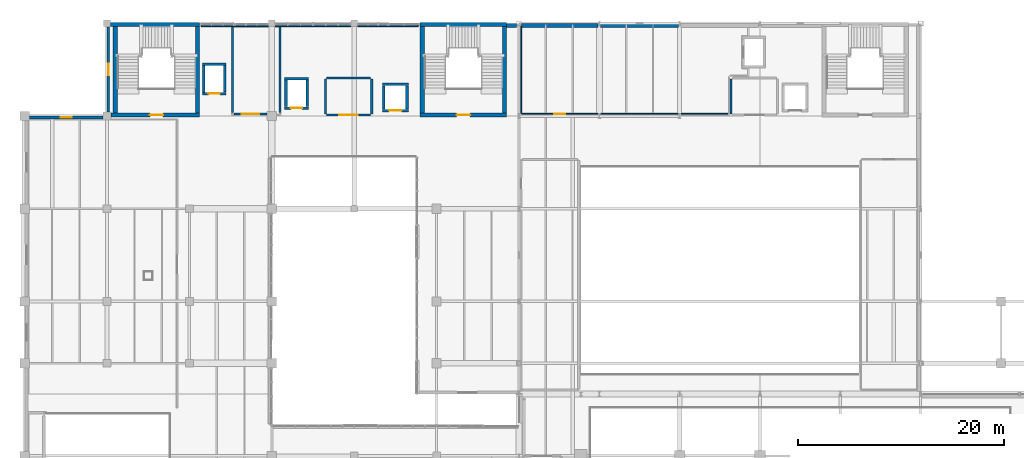
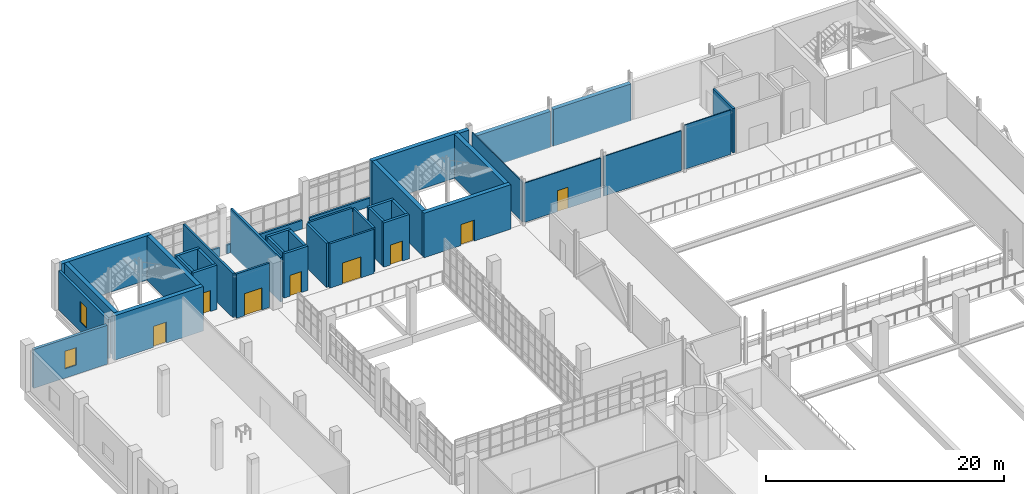
# One storey, part 94 of 102: 40 walls, 8 doors, 2 windows, 10 openings.
"""IFC4 building model written with IfcOpenShell, lengths in metres."""

from ifc_helpers import new_model, si_unit, derived_unit, direction, frame, frame_2d, origin, place, context, subcontext, project, spatial, rectangle, extrude, material, layer, layer_set, type_object, element, fill, save


model = new_model("IFC4")

# Units and contexts
model_context = context("Model", 3, precision=1e-05, world=origin(), true_north=direction((0.0, 1.0)))
body_context = subcontext(model_context, "Body", "Model", "MODEL_VIEW")
ifc_project = project(units=[si_unit("LENGTHUNIT", "METRE"), si_unit("AREAUNIT", "SQUARE_METRE"), si_unit("VOLUMEUNIT", "CUBIC_METRE"), si_unit("PLANEANGLEUNIT", "RADIAN"), si_unit("MASSUNIT", "GRAM", prefix="KILO"), derived_unit("THERMALTRANSMITTANCEUNIT", [(si_unit("POWERUNIT", "WATT"), 1), (si_unit("LENGTHUNIT", "METRE"), -2), (si_unit("THERMODYNAMICTEMPERATUREUNIT", "KELVIN"), -1)])], contexts=[model_context])

# Site, building, storey
site_placement = place(None, origin())
site = spatial("IfcSite", under=ifc_project, at=site_placement, CompositionType="ELEMENT")
building_placement = place(site_placement, origin())
building = spatial("IfcBuilding", under=site, at=building_placement, Name="Nallur Shell Playhouse", CompositionType="ELEMENT")
storey_placement = place(building_placement, frame((0.0, 0.0, 15.0)))
storey = spatial("IfcBuildingStorey", under=building, at=storey_placement, Name="L04", CompositionType="ELEMENT", Elevation=15.0)

# Wall, opening, door
ifc_material_1 = material(Name="Concrete M45", Category="concrete")
ifc_layer_1 = layer(ifc_material_1, 0.39990234375)
ifc_layer_set_1 = layer_set([ifc_layer_1], Name="Concrete M45")
wall_type_1 = type_object("IfcWallType", Name="WL-CORE-400", PredefinedType="SHEAR", material=ifc_layer_set_1)
wall_1_placement = place(storey_placement, frame((54.39990234375, 74.10009765625, 0.0), z_axis=(0.0, 0.0, 1.0), x_axis=(1.0, 0.0, 0.0)))
wall_1 = element("IfcWall", 1, at=wall_1_placement, inside=storey, type_object=wall_type_1, Name="Joint Core JC-3 shear wall S (L04)", PredefinedType="SHEAR", context=body_context, shape_type="SweptSolid", body=[
    extrude(rectangle(XDim=8.400146484375, YDim=0.39990234375, at=frame_2d((4.2001953125, 0.0))), origin(), (0.0, 0.0, 1.0), 4.550048828125),
])
opening_1_placement = place(wall_1_placement, frame((3.550048828125, 0.0, 0.0)))
opening_1 = element("IfcOpeningElement", 2, at=opening_1_placement, cuts=wall_1, Name="Opening FD-ST1", PredefinedType="OPENING", context=body_context, shape_type="SweptSolid", body=[
    extrude(rectangle(XDim=1.300048828125, YDim=2.14990234375, at=frame_2d((0.64990234375, 1.074951171875))), frame((0.0, 0.2099609375, 0.0), z_axis=(0.0, -1.0, 0.0), x_axis=(1.0, 0.0, 0.0)), (0.0, 0.0, 1.0), 0.419921875),
])
ifc_material_2 = material(Name="Galvanised Steel Fire-Rated Stair Door", Category="steel")
door_type_1 = type_object("IfcDoorType", Name="DR-INT-STAIR-L", OperationType="SINGLE_SWING_LEFT", PredefinedType="DOOR", material=ifc_material_2)
door_1_placement = place(opening_1_placement, origin())
door_1 = element("IfcDoor", 3, at=door_1_placement, inside=storey, type_object=door_type_1, Name="Exit stair ST-03 fire door (L04)", OperationType="SINGLE_SWING_LEFT", OverallHeight=2.14990234375, OverallWidth=1.300048828125, PredefinedType="DOOR", context=body_context, shape_type="SweptSolid", body=[
    extrude(rectangle(XDim=1.300048828125, YDim=2.14990234375, at=frame_2d((0.64990234375, 1.074951171875))), frame((0.0, 0.02490234375, 0.0), z_axis=(0.0, -1.0, 0.0), x_axis=(1.0, 0.0, 0.0)), (0.0, 0.0, 1.0), 0.050048828125),
])
fill(opening_1, door_1)

# Walls
wall_2_placement = place(storey_placement, frame((62.800048828125, 82.89990234375, 0.0), z_axis=(0.0, 0.0, 1.0), x_axis=(-1.0, 0.0, 0.0)))
element("IfcWall", 4, at=wall_2_placement, inside=storey, type_object=wall_type_1, Name="Joint Core JC-3 shear wall N (L04)", PredefinedType="SHEAR", context=body_context, shape_type="SweptSolid", body=[
    extrude(rectangle(XDim=8.400146484375, YDim=0.39990234375, at=frame_2d((4.2001953125, 0.0))), origin(), (0.0, 0.0, 1.0), 4.550048828125),
])
for number, where, z_axis, x_axis, name in (
    (5, (62.60009765625, 74.31005859375, 0.0), (0.0, 0.0, 1.0), (0.0, 1.0, 0.0), "Joint Core JC-3 shear wall E (L04)"),
    (6, (54.60009765625, 82.68994140625, 0.0), (0.0, 0.0, 1.0), (0.0, -1.0, 0.0), "Joint Core JC-3 shear wall W (L04)"),
):
    element("IfcWall", number, at=place(storey_placement, frame(where, z_axis=z_axis, x_axis=x_axis)), inside=storey, type_object=wall_type_1, Name=name, PredefinedType="SHEAR", context=body_context, shape_type="SweptSolid", body=[
        extrude(rectangle(XDim=8.3798828125, YDim=0.39990234375, at=frame_2d((4.18994140625, 0.0))), origin(), (0.0, 0.0, 1.0), 4.550048828125),
    ])

# Wall, opening, door
wall_3_placement = place(storey_placement, frame((24.3740234375, 74.10009765625, 0.0), z_axis=(0.0, 0.0, 1.0), x_axis=(1.0, 0.0, 0.0)))
wall_3 = element("IfcWall", 7, at=wall_3_placement, inside=storey, type_object=wall_type_1, Name="Joint Core JC-6 shear wall S (L04)", PredefinedType="SHEAR", context=body_context, shape_type="SweptSolid", body=[
    extrude(rectangle(XDim=8.6259765625, YDim=0.39990234375, at=frame_2d((4.31298828125, 0.0))), origin(), (0.0, 0.0, 1.0), 4.550048828125),
])
opening_2_placement = place(wall_3_placement, frame((3.77587890625, 0.0, 0.0)))
opening_2 = element("IfcOpeningElement", 8, at=opening_2_placement, cuts=wall_3, Name="Opening FD-ST2", PredefinedType="OPENING", context=body_context, shape_type="SweptSolid", body=[
    extrude(rectangle(XDim=1.300048828125, YDim=2.14990234375, at=frame_2d((0.64990234375, 1.074951171875))), frame((0.0, 0.2099609375, 0.0), z_axis=(0.0, -1.0, 0.0), x_axis=(1.0, 0.0, 0.0)), (0.0, 0.0, 1.0), 0.419921875),
])
door_type_2 = type_object("IfcDoorType", Name="DR-INT-STAIR-R", OperationType="SINGLE_SWING_RIGHT", PredefinedType="DOOR", material=ifc_material_2)
door_2_placement = place(opening_2_placement, origin())
door_2 = element("IfcDoor", 9, at=door_2_placement, inside=storey, type_object=door_type_2, Name="Exit stair ST-06 fire door (L04)", OperationType="SINGLE_SWING_RIGHT", OverallHeight=2.14990234375, OverallWidth=1.300048828125, PredefinedType="DOOR", context=body_context, shape_type="SweptSolid", body=[
    extrude(rectangle(XDim=1.300048828125, YDim=2.14990234375, at=frame_2d((0.64990234375, 1.074951171875))), frame((0.0, 0.02490234375, 0.0), z_axis=(0.0, -1.0, 0.0), x_axis=(1.0, 0.0, 0.0)), (0.0, 0.0, 1.0), 0.050048828125),
])
fill(opening_2, door_2)

# Walls
wall_4_placement = place(storey_placement, frame((33.0, 82.89990234375, 0.0), z_axis=(0.0, 0.0, 1.0), x_axis=(-1.0, 0.0, 0.0)))
element("IfcWall", 10, at=wall_4_placement, inside=storey, type_object=wall_type_1, Name="Joint Core JC-6 shear wall N (L04)", PredefinedType="SHEAR", context=body_context, shape_type="SweptSolid", body=[
    extrude(rectangle(XDim=8.676025390625, YDim=0.39990234375, at=frame_2d((4.337890625, 0.0))), origin(), (0.0, 0.0, 1.0), 4.550048828125),
])
for number, where, z_axis, x_axis, name in (
    (11, (32.800048828125, 74.31005859375, 0.0), (0.0, 0.0, 1.0), (0.0, 1.0, 0.0), "Joint Core JC-6 shear wall E (L04)"),
    (12, (24.800048828125, 82.68994140625, 0.0), (0.0, 0.0, 1.0), (0.0, -1.0, 0.0), "Joint Core JC-6 shear wall W (L04)"),
):
    element("IfcWall", number, at=place(storey_placement, frame(where, z_axis=z_axis, x_axis=x_axis)), inside=storey, type_object=wall_type_1, Name=name, PredefinedType="SHEAR", context=body_context, shape_type="SweptSolid", body=[
        extrude(rectangle(XDim=8.3798828125, YDim=0.39990234375, at=frame_2d((4.18994140625, 0.0))), origin(), (0.0, 0.0, 1.0), 4.550048828125),
    ])

# Wall, opening, window
ifc_material_3 = material(Name="Precast concrete M40", Category="concrete")
ifc_layer_2 = layer(ifc_material_3, 0.239990234375)
ifc_layer_set_2 = layer_set([ifc_layer_2], Name="Precast concrete M40")
wall_type_2 = type_object("IfcWallType", Name="WL-EXT-CLAD240", PredefinedType="ELEMENTEDWALL", material=ifc_layer_set_2)
wall_5_placement = place(storey_placement, frame((24.139892578125, 74.383056640625, 0.0), z_axis=(0.0, 0.0, 1.0), x_axis=(0.0, 1.0, 0.0)))
wall_5 = element("IfcWall", 13, at=wall_5_placement, inside=storey, type_object=wall_type_2, Name="L04 exterior wall EW-L04-170", PredefinedType="ELEMENTEDWALL", context=body_context, shape_type="SweptSolid", body=[
    extrude(rectangle(XDim=8.283935546875, YDim=0.239990234375, at=frame_2d((4.14208984375, 0.0))), origin(), (0.0, 0.0, 1.0), 3.985107421875),
])
opening_3_placement = place(wall_5_placement, frame((3.592041015625, 0.0, 0.949951171875)))
opening_3 = element("IfcOpeningElement", 14, at=opening_3_placement, cuts=wall_5, Name="Opening WN-08", PredefinedType="OPENING", context=body_context, shape_type="SweptSolid", body=[
    extrude(rectangle(XDim=1.10009765625, YDim=2.10009765625, at=frame_2d((0.550048828125, 1.050048828125))), frame((0.0, 0.1298828125, 0.0), z_axis=(0.0, -1.0, 0.0), x_axis=(1.0, 0.0, 0.0)), (0.0, 0.0, 1.0), 0.260009765625),
])
ifc_material_4 = material(Name="Thermally Broken Aluminium Acoustic Double-Glazed Window", Category="aluminium")
window_type_1 = type_object("IfcWindowType", Name="WN-TYPE-08", PartitioningType="SINGLE_PANEL", PredefinedType="WINDOW", material=ifc_material_4)
window_1_placement = place(opening_3_placement, origin())
window_1 = element("IfcWindow", 15, at=window_1_placement, inside=storey, type_object=window_type_1, Name="L04 facade module window 072", OverallHeight=2.10009765625, OverallWidth=1.10009765625, PartitioningType="SINGLE_PANEL", PredefinedType="WINDOW", context=body_context, shape_type="SweptSolid", body=[
    extrude(rectangle(XDim=1.10009765625, YDim=2.10009765625, at=frame_2d((0.550048828125, 1.050048828125))), frame((0.0, 0.030029296875, 0.0), z_axis=(0.0, -1.0, 0.0), x_axis=(1.0, 0.0, 0.0)), (0.0, 0.0, 1.0), 0.06005859375),
])
fill(opening_3, window_1)

ifc_layer_3 = layer(ifc_material_3, 0.260009765625)
ifc_layer_set_3 = layer_set([ifc_layer_3], Name="Precast concrete M40")
wall_type_3 = type_object("IfcWallType", Name="WL-EXT-CLAD260", PredefinedType="ELEMENTEDWALL", material=ifc_layer_set_3)
wall_6_placement = place(storey_placement, frame((16.4580078125, 73.85009765625, 0.0), z_axis=(0.0, 0.0, 1.0), x_axis=(1.0, 0.0, 0.0)))
wall_6 = element("IfcWall", 16, at=wall_6_placement, inside=storey, type_object=wall_type_3, Name="L04 exterior wall EW-L04-169", PredefinedType="ELEMENTEDWALL", context=body_context, shape_type="SweptSolid", body=[
    extrude(rectangle(XDim=7.158935546875, YDim=0.260009765625, at=frame_2d((3.57958984375, 0.0))), origin(), (0.0, 0.0, 1.0), 3.985107421875),
])
opening_4_placement = place(wall_6_placement, frame((3.030029296875, 0.0, 0.949951171875)))
opening_4 = element("IfcOpeningElement", 17, at=opening_4_placement, cuts=wall_6, Name="Opening WN-07", PredefinedType="OPENING", context=body_context, shape_type="SweptSolid", body=[
    extrude(rectangle(XDim=1.10009765625, YDim=1.800048828125, at=frame_2d((0.550048828125, 0.89990234375))), frame((0.0, 0.14013671875, 0.0), z_axis=(0.0, -1.0, 0.0), x_axis=(1.0, 0.0, 0.0)), (0.0, 0.0, 1.0), 0.280029296875),
])
window_type_2 = type_object("IfcWindowType", Name="WN-TYPE-07", PartitioningType="SINGLE_PANEL", PredefinedType="WINDOW", material=ifc_material_4)
window_2_placement = place(opening_4_placement, origin())
window_2 = element("IfcWindow", 18, at=window_2_placement, inside=storey, type_object=window_type_2, Name="L04 facade module window 071", OverallHeight=1.800048828125, OverallWidth=1.10009765625, PartitioningType="SINGLE_PANEL", PredefinedType="WINDOW", context=body_context, shape_type="SweptSolid", body=[
    extrude(rectangle(XDim=1.10009765625, YDim=1.800048828125, at=frame_2d((0.550048828125, 0.89990234375))), frame((0.0, 0.030029296875, 0.0), z_axis=(0.0, -1.0, 0.0), x_axis=(1.0, 0.0, 0.0)), (0.0, 0.0, 1.0), 0.06005859375),
])
fill(opening_4, window_2)

# Walls
ifc_material_5 = material(Name="Concrete M40", Category="concrete")
ifc_layer_4 = layer(ifc_material_5, 0.39990234375)
ifc_layer_set_4 = layer_set([ifc_layer_4], Name="Concrete M40")
wall_type_4 = type_object("IfcWallType", Name="WL-EXT-RC400", PredefinedType="STANDARD", material=ifc_layer_set_4)
wall_7_placement = place(storey_placement, frame((62.803955078125, 82.780029296875, 0.0), z_axis=(0.0, 0.0, 1.0), x_axis=(1.0, 0.0, 0.0)))
element("IfcWall", 19, at=wall_7_placement, inside=storey, type_object=wall_type_4, Name="L04 exterior wall EW-L04-171", PredefinedType="STANDARD", context=body_context, shape_type="SweptSolid", body=[
    extrude(rectangle(XDim=0.963134765625, YDim=0.39990234375, at=frame_2d((0.4814453125, 0.0))), origin(), (0.0, 0.0, 1.0), 4.550048828125),
])
wall_8_placement = place(storey_placement, frame((64.23291015625, 82.780029296875, 0.0), z_axis=(0.0, 0.0, 1.0), x_axis=(1.0, 0.0, 0.0)))
element("IfcWall", 20, at=wall_8_placement, inside=storey, type_object=wall_type_4, Name="L04 exterior wall EW-L04-172", PredefinedType="STANDARD", context=body_context, shape_type="SweptSolid", body=[
    extrude(rectangle(XDim=7.43408203125, YDim=0.39990234375, at=frame_2d((3.717041015625, 0.0))), origin(), (0.0, 0.0, 1.0), 3.68505859375),
])
wall_9_placement = place(storey_placement, frame((71.93310546875, 82.780029296875, 0.0), z_axis=(0.0, 0.0, 1.0), x_axis=(1.0, 0.0, 0.0)))
element("IfcWall", 21, at=wall_9_placement, inside=storey, type_object=wall_type_4, Name="L04 exterior wall EW-L04-173", PredefinedType="STANDARD", context=body_context, shape_type="SweptSolid", body=[
    extrude(rectangle(XDim=7.533935546875, YDim=0.39990234375, at=frame_2d((3.76708984375, 0.0))), origin(), (0.0, 0.0, 1.0), 3.784912109375),
])
ifc_material_6 = material(Name="Concrete M35", Category="concrete")
ifc_layer_5 = layer(ifc_material_6, 0.179931640625)
ifc_layer_set_5 = layer_set([ifc_layer_5], Name="Concrete M35")
wall_type_5 = type_object("IfcWallType", Name="WL-PARAPET-180", PredefinedType="PARAPET", material=ifc_layer_set_5)
wall_10_placement = place(storey_placement, frame((33.169921875, 82.760009765625, 0.0), z_axis=(0.0, 0.0, 1.0), x_axis=(1.0, 0.0, 0.0)))
element("IfcWall", 22, at=wall_10_placement, inside=storey, type_object=wall_type_5, Name="L04 curtain-wall internal spandrel upstand 044", PredefinedType="PARAPET", context=body_context, shape_type="SweptSolid", body=[
    extrude(rectangle(XDim=6.4951171875, YDim=0.179931640625, at=frame_2d((3.24755859375, 0.0))), origin(), (0.0, 0.0, 1.0), 0.8798828125),
])
wall_11_placement = place(storey_placement, frame((40.3349609375, 82.760009765625, 0.0), z_axis=(0.0, 0.0, 1.0), x_axis=(1.0, 0.0, 0.0)))
element("IfcWall", 23, at=wall_11_placement, inside=storey, type_object=wall_type_5, Name="L04 curtain-wall internal spandrel upstand 045", PredefinedType="PARAPET", context=body_context, shape_type="SweptSolid", body=[
    extrude(rectangle(XDim=7.330078125, YDim=0.179931640625, at=frame_2d((3.6650390625, 0.0))), origin(), (0.0, 0.0, 1.0), 0.8798828125),
])
wall_12_placement = place(storey_placement, frame((48.3349609375, 82.760009765625, 0.0), z_axis=(0.0, 0.0, 1.0), x_axis=(1.0, 0.0, 0.0)))
element("IfcWall", 24, at=wall_12_placement, inside=storey, type_object=wall_type_5, Name="L04 curtain-wall internal spandrel upstand 046", PredefinedType="PARAPET", context=body_context, shape_type="SweptSolid", body=[
    extrude(rectangle(XDim=5.89501953125, YDim=0.179931640625, at=frame_2d((2.947509765625, 0.0))), origin(), (0.0, 0.0, 1.0), 0.8798828125),
])
ifc_material_7 = material(Name="Concrete M30", Category="concrete")
ifc_layer_6 = layer(ifc_material_7, 0.199951171875)
ifc_layer_set_6 = layer_set([ifc_layer_6], Name="Concrete M30")
wall_type_6 = type_object("IfcWallType", Name="WL-PART-AC200", PredefinedType="PARTITIONING", material=ifc_layer_set_6)
wall_13_placement = place(storey_placement, frame((45.199951171875, 74.219970703125, 0.0), z_axis=(0.0, 0.0, 1.0), x_axis=(0.0, 1.0, 0.0)))
element("IfcWall", 25, at=wall_13_placement, inside=storey, type_object=wall_type_6, Name="Firefighting Lobby JC-3 partition IW-L04-0271", PredefinedType="PARTITIONING", context=body_context, shape_type="SweptSolid", body=[
    extrude(rectangle(XDim=3.360107421875, YDim=0.199951171875, at=frame_2d((1.68017578125, 0.0))), origin(), (0.0, 0.0, 1.0), 4.5400390625),
])
wall_14_placement = place(storey_placement, frame((45.320068359375, 77.699951171875, 0.0), z_axis=(0.0, 0.0, 1.0), x_axis=(1.0, 0.0, 0.0)))
element("IfcWall", 26, at=wall_14_placement, inside=storey, type_object=wall_type_6, Name="Firefighting Lobby JC-3 partition IW-L04-0272", PredefinedType="PARTITIONING", context=body_context, shape_type="SweptSolid", body=[
    extrude(rectangle(XDim=4.260009765625, YDim=0.199951171875, at=frame_2d((2.1298828125, 0.0))), origin(), (0.0, 0.0, 1.0), 4.5400390625),
])
wall_15_placement = place(storey_placement, frame((49.699951171875, 77.580078125, 0.0), z_axis=(0.0, 0.0, 1.0), x_axis=(0.0, -1.0, 0.0)))
element("IfcWall", 27, at=wall_15_placement, inside=storey, type_object=wall_type_6, Name="Firefighting Lobby JC-3 partition IW-L04-0273", PredefinedType="PARTITIONING", context=body_context, shape_type="SweptSolid", body=[
    extrude(rectangle(XDim=3.360107421875, YDim=0.199951171875, at=frame_2d((1.68017578125, 0.0))), origin(), (0.0, 0.0, 1.0), 4.5400390625),
])

# Wall, opening, door
wall_16_placement = place(storey_placement, frame((49.580078125, 74.10009765625, 0.0), z_axis=(0.0, 0.0, 1.0), x_axis=(-1.0, 0.0, 0.0)))
wall_16 = element("IfcWall", 28, at=wall_16_placement, inside=storey, type_object=wall_type_6, Name="Firefighting Lobby JC-3 partition IW-L04-0274", PredefinedType="PARTITIONING", context=body_context, shape_type="SweptSolid", body=[
    extrude(rectangle(XDim=4.260009765625, YDim=0.199951171875, at=frame_2d((2.1298828125, 0.0))), origin(), (0.0, 0.0, 1.0), 4.5400390625),
])
opening_5_placement = place(wall_16_placement, frame((1.22998046875, 0.0, 0.0)))
opening_5 = element("IfcOpeningElement", 29, at=opening_5_placement, cuts=wall_16, Name="Opening FD-FL1", PredefinedType="OPENING", context=body_context, shape_type="SweptSolid", body=[
    extrude(rectangle(XDim=1.800048828125, YDim=2.14990234375, at=frame_2d((0.89990234375, 1.074951171875))), frame((0.0, 0.10986328125, 0.0), z_axis=(0.0, -1.0, 0.0), x_axis=(1.0, 0.0, 0.0)), (0.0, 0.0, 1.0), 0.219970703125),
])
ifc_material_8 = material(Name="Firefighting Lobby Smoke-Seal Double Door")
door_type_3 = type_object("IfcDoorType", Name="DR-INT-FFL-DBL", OperationType="DOUBLE_DOOR_SINGLE_SWING", PredefinedType="DOOR", material=ifc_material_8)
door_3_placement = place(opening_5_placement, origin())
door_3 = element("IfcDoor", 30, at=door_3_placement, inside=storey, type_object=door_type_3, Name="Firefighting Lobby JC-3 smoke-seal door (L04)", OperationType="DOUBLE_DOOR_SINGLE_SWING", OverallHeight=2.14990234375, OverallWidth=1.800048828125, PredefinedType="DOOR", context=body_context, shape_type="SweptSolid", body=[
    extrude(rectangle(XDim=1.800048828125, YDim=2.14990234375, at=frame_2d((0.89990234375, 1.074951171875))), frame((0.0, 0.02490234375, 0.0), z_axis=(0.0, -1.0, 0.0), x_axis=(1.0, 0.0, 0.0)), (0.0, 0.0, 1.0), 0.050048828125),
])
fill(opening_5, door_3)

# Walls
wall_17_placement = place(storey_placement, frame((84.60009765625, 74.219970703125, 0.0), z_axis=(0.0, 0.0, 1.0), x_axis=(0.0, 1.0, 0.0)))
element("IfcWall", 31, at=wall_17_placement, inside=storey, type_object=wall_type_6, Name="Firefighting Lobby JC-4 partition IW-L04-0275", PredefinedType="PARTITIONING", context=body_context, shape_type="SweptSolid", body=[
    extrude(rectangle(XDim=3.360107421875, YDim=0.199951171875, at=frame_2d((1.68017578125, 0.0))), origin(), (0.0, 0.0, 1.0), 4.5400390625),
])
wall_18_placement = place(storey_placement, frame((40.800048828125, 82.666015625, 0.0), z_axis=(0.0, 0.0, 1.0), x_axis=(0.0, -1.0, 0.0)))
element("IfcWall", 32, at=wall_18_placement, inside=storey, type_object=wall_type_6, Name="Sprung-Floor Dance & Movement Studio partition IW-L04-0314", PredefinedType="PARTITIONING", context=body_context, shape_type="SweptSolid", body=[
    extrude(rectangle(XDim=8.345947265625, YDim=0.199951171875, at=frame_2d((4.1728515625, 0.0))), origin(), (0.0, 0.0, 1.0), 4.5400390625),
])

# Wall, opening, door
wall_19_placement = place(storey_placement, frame((39.534912109375, 74.199951171875, 0.0), z_axis=(0.0, 0.0, 1.0), x_axis=(-1.0, 0.0, 0.0)))
wall_19 = element("IfcWall", 33, at=wall_19_placement, inside=storey, type_object=wall_type_6, Name="Sprung-Floor Dance & Movement Studio partition IW-L04-0315", PredefinedType="PARTITIONING", context=body_context, shape_type="SweptSolid", body=[
    extrude(rectangle(XDim=3.21484375, YDim=0.199951171875, at=frame_2d((1.607421875, 0.0))), origin(), (0.0, 0.0, 1.0), 4.5400390625),
])
opening_6_placement = place(wall_19_placement, frame((0.757080078125, 0.0, 0.0)))
opening_6 = element("IfcOpeningElement", 34, at=opening_6_placement, cuts=wall_19, Name="Opening RD-01", PredefinedType="OPENING", context=body_context, shape_type="SweptSolid", body=[
    extrude(rectangle(XDim=1.699951171875, YDim=2.25, at=frame_2d((0.85009765625, 1.125))), frame((0.0, 0.10986328125, 0.0), z_axis=(0.0, -1.0, 0.0), x_axis=(1.0, 0.0, 0.0)), (0.0, 0.0, 1.0), 0.219970703125),
])
ifc_material_9 = material(Name="Rehearsal Hall Acoustic Double Door")
door_type_4 = type_object("IfcDoorType", Name="DR-INT-RHL-DBL", OperationType="DOUBLE_DOOR_SINGLE_SWING", PredefinedType="DOOR", material=ifc_material_9)
door_4_placement = place(opening_6_placement, origin())
door_4 = element("IfcDoor", 35, at=door_4_placement, inside=storey, type_object=door_type_4, Name="Sprung-Floor Dance & Movement Studio door 1", OperationType="DOUBLE_DOOR_SINGLE_SWING", OverallHeight=2.25, OverallWidth=1.699951171875, PredefinedType="DOOR", context=body_context, shape_type="SweptSolid", body=[
    extrude(rectangle(XDim=1.699951171875, YDim=2.25, at=frame_2d((0.85009765625, 1.125))), frame((0.0, 0.02490234375, 0.0), z_axis=(0.0, -1.0, 0.0), x_axis=(1.0, 0.0, 0.0)), (0.0, 0.0, 1.0), 0.050048828125),
])
fill(opening_6, door_4)

# Walls
wall_20_placement = place(storey_placement, frame((36.199951171875, 74.320068359375, 0.0), z_axis=(0.0, 0.0, 1.0), x_axis=(0.0, 1.0, 0.0)))
element("IfcWall", 36, at=wall_20_placement, inside=storey, type_object=wall_type_6, Name="Sprung-Floor Dance & Movement Studio partition IW-L04-0316", PredefinedType="PARTITIONING", context=body_context, shape_type="SweptSolid", body=[
    extrude(rectangle(XDim=8.345947265625, YDim=0.199951171875, at=frame_2d((4.1728515625, 0.0))), origin(), (0.0, 0.0, 1.0), 4.5400390625),
])
ifc_material_10 = material(Name="Double-Layer Fire-Rated Gypsum Stud Partition")
ifc_layer_7 = layer(ifc_material_10, 0.10009765625)
ifc_layer_set_7 = layer_set([ifc_layer_7], Name="Double-Layer Fire-Rated Gypsum Stud Partition")
wall_type_7 = type_object("IfcWallType", Name="WL-PART-DRY100", PredefinedType="PARTITIONING", material=ifc_layer_set_7)
wall_21_placement = place(storey_placement, frame((64.199951171875, 74.27001953125, 0.0), z_axis=(0.0, 0.0, 1.0), x_axis=(0.0, 1.0, 0.0)))
element("IfcWall", 37, at=wall_21_placement, inside=storey, type_object=wall_type_7, Name="Orchestral Sheet-Music & Script Library partition IW-L04-0327", PredefinedType="PARTITIONING", context=body_context, shape_type="SweptSolid", body=[
    extrude(rectangle(XDim=8.5009765625, YDim=0.10009765625, at=frame_2d((4.25048828125, 0.0))), origin(), (0.0, 0.0, 1.0), 4.080078125),
])
wall_22_placement = place(storey_placement, frame((84.25, 74.199951171875, 0.0), z_axis=(0.0, 0.0, 1.0), x_axis=(-1.0, 0.0, 0.0)))
element("IfcWall", 38, at=wall_22_placement, inside=storey, type_object=wall_type_7, Name="Orchestral Sheet-Music & Script Library partition IW-L04-0328", PredefinedType="PARTITIONING", context=body_context, shape_type="SweptSolid", body=[
    extrude(rectangle(XDim=4.510009765625, YDim=0.10009765625, at=frame_2d((2.2548828125, 0.0))), origin(), (0.0, 0.0, 1.0), 4.5400390625),
])
wall_23_placement = place(storey_placement, frame((79.4599609375, 74.199951171875, 0.0), z_axis=(0.0, 0.0, 1.0), x_axis=(-1.0, 0.0, 0.0)))
element("IfcWall", 39, at=wall_23_placement, inside=storey, type_object=wall_type_7, Name="Orchestral Sheet-Music & Script Library partition IW-L04-0329", PredefinedType="PARTITIONING", context=body_context, shape_type="SweptSolid", body=[
    extrude(rectangle(XDim=7.52001953125, YDim=0.10009765625, at=frame_2d((3.760009765625, 0.0))), origin(), (0.0, 0.0, 1.0), 4.080078125),
])

# Wall, opening, door
wall_24_placement = place(storey_placement, frame((71.659912109375, 74.199951171875, 0.0), z_axis=(0.0, 0.0, 1.0), x_axis=(-1.0, 0.0, 0.0)))
wall_24 = element("IfcWall", 40, at=wall_24_placement, inside=storey, type_object=wall_type_7, Name="Orchestral Sheet-Music & Script Library partition IW-L04-0330", PredefinedType="PARTITIONING", context=body_context, shape_type="SweptSolid", body=[
    extrude(rectangle(XDim=7.389892578125, YDim=0.10009765625, at=frame_2d((3.69482421875, 0.0))), origin(), (0.0, 0.0, 1.0), 4.030029296875),
])
opening_7_placement = place(wall_24_placement, frame((3.169921875, 0.0, 0.0)))
opening_7 = element("IfcOpeningElement", 41, at=opening_7_placement, cuts=wall_24, Name="Opening ID-02", PredefinedType="OPENING", context=body_context, shape_type="SweptSolid", body=[
    extrude(rectangle(XDim=1.050048828125, YDim=2.14990234375, at=frame_2d((0.52490234375, 1.074951171875))), frame((0.0, 0.06005859375, 0.0), z_axis=(0.0, -1.0, 0.0), x_axis=(1.0, 0.0, 0.0)), (0.0, 0.0, 1.0), 0.1201171875),
])
ifc_material_11 = material(Name="Solid-Core Engineered Timber Fire Door", Category="wood")
door_type_5 = type_object("IfcDoorType", Name="DR-INT-SGL1050R", OperationType="SINGLE_SWING_RIGHT", PredefinedType="DOOR", material=ifc_material_11)
door_5_placement = place(opening_7_placement, origin())
door_5 = element("IfcDoor", 42, at=door_5_placement, inside=storey, type_object=door_type_5, Name="Orchestral Sheet-Music & Script Library door 1", OperationType="SINGLE_SWING_RIGHT", OverallHeight=2.14990234375, OverallWidth=1.050048828125, PredefinedType="DOOR", context=body_context, shape_type="SweptSolid", body=[
    extrude(rectangle(XDim=1.050048828125, YDim=2.14990234375, at=frame_2d((0.52490234375, 1.074951171875))), frame((0.0, 0.02490234375, 0.0), z_axis=(0.0, -1.0, 0.0), x_axis=(1.0, 0.0, 0.0)), (0.0, 0.0, 1.0), 0.050048828125),
])
fill(opening_7, door_5)

ifc_layer_8 = layer(ifc_material_1, 0.25)
ifc_layer_set_8 = layer_set([ifc_layer_8], Name="Concrete M45")
wall_type_8 = type_object("IfcWallType", Name="WL-SHAFT-250", PredefinedType="STANDARD", material=ifc_layer_set_8)
wall_25_placement = place(storey_placement, frame((50.75, 74.52490234375, 0.0), z_axis=(0.0, 0.0, 1.0), x_axis=(1.0, 0.0, 0.0)))
wall_25 = element("IfcWall", 43, at=wall_25_placement, inside=storey, type_object=wall_type_8, Name="Fireman's Lift FL-1 shaft wall south (L04)", PredefinedType="STANDARD", context=body_context, shape_type="SweptSolid", body=[
    extrude(rectangle(XDim=2.5, YDim=0.25, at=frame_2d((1.25, 0.0))), origin(), (0.0, 0.0, 1.0), 4.5400390625),
])
opening_8_placement = place(wall_25_placement, frame((0.64990234375, 0.0, 0.0)))
opening_8 = element("IfcOpeningElement", 44, at=opening_8_placement, cuts=wall_25, Name="Opening LD-F1", PredefinedType="OPENING", context=body_context, shape_type="SweptSolid", body=[
    extrude(rectangle(XDim=1.199951171875, YDim=2.050048828125, at=frame_2d((0.60009765625, 1.02490234375))), frame((0.0, 0.135009765625, 0.0), z_axis=(0.0, -1.0, 0.0), x_axis=(1.0, 0.0, 0.0)), (0.0, 0.0, 1.0), 0.27001953125),
])
ifc_material_12 = material(Name="Fireman Lift Fire-Rated Sliding Landing Door")
door_type_6 = type_object("IfcDoorType", Name="DR-LIFT-FIRE", OperationType="DOUBLE_DOOR_SLIDING", PredefinedType="DOOR", material=ifc_material_12)
door_6_placement = place(opening_8_placement, origin())
door_6 = element("IfcDoor", 45, at=door_6_placement, inside=storey, type_object=door_type_6, Name="Fireman's Lift FL-1 sliding landing door (L04)", OperationType="DOUBLE_DOOR_SLIDING", OverallHeight=2.050048828125, OverallWidth=1.199951171875, PredefinedType="DOOR", context=body_context, shape_type="SweptSolid", body=[
    extrude(rectangle(XDim=1.199951171875, YDim=2.050048828125, at=frame_2d((0.60009765625, 1.02490234375))), frame((0.0, 0.02490234375, 0.0), z_axis=(0.0, -1.0, 0.0), x_axis=(1.0, 0.0, 0.0)), (0.0, 0.0, 1.0), 0.050048828125),
])
fill(opening_8, door_6)

# Walls
wall_26_placement = place(storey_placement, frame((53.25, 77.074951171875, 0.0), z_axis=(0.0, 0.0, 1.0), x_axis=(-1.0, 0.0, 0.0)))
element("IfcWall", 46, at=wall_26_placement, inside=storey, type_object=wall_type_8, Name="Fireman's Lift FL-1 shaft wall north (L04)", PredefinedType="STANDARD", context=body_context, shape_type="SweptSolid", body=[
    extrude(rectangle(XDim=2.5, YDim=0.25, at=frame_2d((1.25, 0.0))), origin(), (0.0, 0.0, 1.0), 4.5400390625),
])
for number, where, z_axis, x_axis, name in (
    (47, (53.125, 74.659912109375, 0.0), (0.0, 0.0, 1.0), (0.0, 1.0, 0.0), "Fireman's Lift FL-1 shaft wall east (L04)"),
    (48, (50.875, 76.93994140625, 0.0), (0.0, 0.0, 1.0), (0.0, -1.0, 0.0), "Fireman's Lift FL-1 shaft wall west (L04)"),
):
    element("IfcWall", number, at=place(storey_placement, frame(where, z_axis=z_axis, x_axis=x_axis)), inside=storey, type_object=wall_type_8, Name=name, PredefinedType="STANDARD", context=body_context, shape_type="SweptSolid", body=[
        extrude(rectangle(XDim=2.280029296875, YDim=0.25, at=frame_2d((1.14013671875, 0.0))), origin(), (0.0, 0.0, 1.0), 4.5400390625),
    ])

# Wall, opening, door
wall_27_placement = place(storey_placement, frame((41.25, 74.77490234375, 0.0), z_axis=(0.0, 0.0, 1.0), x_axis=(1.0, 0.0, 0.0)))
wall_27 = element("IfcWall", 49, at=wall_27_placement, inside=storey, type_object=wall_type_8, Name="Passenger Lift PL-3 shaft wall south (L04)", PredefinedType="STANDARD", context=body_context, shape_type="SweptSolid", body=[
    extrude(rectangle(XDim=2.300048828125, YDim=0.25, at=frame_2d((1.14990234375, 0.0))), origin(), (0.0, 0.0, 1.0), 4.5400390625),
])
opening_9_placement = place(wall_27_placement, frame((0.60009765625, 0.0, 0.0)))
opening_9 = element("IfcOpeningElement", 50, at=opening_9_placement, cuts=wall_27, Name="Opening LD-P1", PredefinedType="OPENING", context=body_context, shape_type="SweptSolid", body=[
    extrude(rectangle(XDim=1.10009765625, YDim=2.14990234375, at=frame_2d((0.550048828125, 1.074951171875))), frame((0.0, 0.135009765625, 0.0), z_axis=(0.0, -1.0, 0.0), x_axis=(1.0, 0.0, 0.0)), (0.0, 0.0, 1.0), 0.27001953125),
])
ifc_material_13 = material(Name="Brushed Stainless Steel Lift Landing Door", Category="steel")
door_type_7 = type_object("IfcDoorType", Name="DR-LIFT-PASS", OperationType="DOUBLE_DOOR_SLIDING", PredefinedType="DOOR", material=ifc_material_13)
door_7_placement = place(opening_9_placement, origin())
door_7 = element("IfcDoor", 51, at=door_7_placement, inside=storey, type_object=door_type_7, Name="Passenger Lift PL-3 sliding landing door (L04)", OperationType="DOUBLE_DOOR_SLIDING", OverallHeight=2.14990234375, OverallWidth=1.10009765625, PredefinedType="DOOR", context=body_context, shape_type="SweptSolid", body=[
    extrude(rectangle(XDim=1.10009765625, YDim=2.14990234375, at=frame_2d((0.550048828125, 1.074951171875))), frame((0.0, 0.02490234375, 0.0), z_axis=(0.0, -1.0, 0.0), x_axis=(1.0, 0.0, 0.0)), (0.0, 0.0, 1.0), 0.050048828125),
])
fill(opening_9, door_7)

# Walls
wall_28_placement = place(storey_placement, frame((43.550048828125, 77.625, 0.0), z_axis=(0.0, 0.0, 1.0), x_axis=(-1.0, 0.0, 0.0)))
element("IfcWall", 52, at=wall_28_placement, inside=storey, type_object=wall_type_8, Name="Passenger Lift PL-3 shaft wall north (L04)", PredefinedType="STANDARD", context=body_context, shape_type="SweptSolid", body=[
    extrude(rectangle(XDim=2.300048828125, YDim=0.25, at=frame_2d((1.14990234375, 0.0))), origin(), (0.0, 0.0, 1.0), 4.5400390625),
])
for number, where, z_axis, x_axis, name in (
    (53, (43.425048828125, 74.909912109375, 0.0), (0.0, 0.0, 1.0), (0.0, 1.0, 0.0), "Passenger Lift PL-3 shaft wall east (L04)"),
    (54, (41.375, 77.489990234375, 0.0), (0.0, 0.0, 1.0), (0.0, -1.0, 0.0), "Passenger Lift PL-3 shaft wall west (L04)"),
):
    element("IfcWall", number, at=place(storey_placement, frame(where, z_axis=z_axis, x_axis=x_axis)), inside=storey, type_object=wall_type_8, Name=name, PredefinedType="STANDARD", context=body_context, shape_type="SweptSolid", body=[
        extrude(rectangle(XDim=2.580078125, YDim=0.25, at=frame_2d((1.2900390625, 0.0))), origin(), (0.0, 0.0, 1.0), 4.5400390625),
    ])

# Wall, opening, door
wall_29_placement = place(storey_placement, frame((33.25, 76.175048828125, 0.0), z_axis=(0.0, 0.0, 1.0), x_axis=(1.0, 0.0, 0.0)))
wall_29 = element("IfcWall", 55, at=wall_29_placement, inside=storey, type_object=wall_type_8, Name="Production Passenger Lift PL-6 shaft wall south (L04)", PredefinedType="STANDARD", context=body_context, shape_type="SweptSolid", body=[
    extrude(rectangle(XDim=2.300048828125, YDim=0.25, at=frame_2d((1.14990234375, 0.0))), origin(), (0.0, 0.0, 1.0), 4.5400390625),
])
opening_10_placement = place(wall_29_placement, frame((0.60009765625, 0.0, 0.0)))
opening_10 = element("IfcOpeningElement", 56, at=opening_10_placement, cuts=wall_29, Name="Opening LD-P1", PredefinedType="OPENING", context=body_context, shape_type="SweptSolid", body=[
    extrude(rectangle(XDim=1.10009765625, YDim=2.14990234375, at=frame_2d((0.550048828125, 1.074951171875))), frame((0.0, 0.135009765625, 0.0), z_axis=(0.0, -1.0, 0.0), x_axis=(1.0, 0.0, 0.0)), (0.0, 0.0, 1.0), 0.27001953125),
])
door_8_placement = place(opening_10_placement, origin())
door_8 = element("IfcDoor", 57, at=door_8_placement, inside=storey, type_object=door_type_7, Name="Production Passenger Lift PL-6 sliding landing door (L04)", OperationType="DOUBLE_DOOR_SLIDING", OverallHeight=2.14990234375, OverallWidth=1.10009765625, PredefinedType="DOOR", context=body_context, shape_type="SweptSolid", body=[
    extrude(rectangle(XDim=1.10009765625, YDim=2.14990234375, at=frame_2d((0.550048828125, 1.074951171875))), frame((0.0, 0.02490234375, 0.0), z_axis=(0.0, -1.0, 0.0), x_axis=(1.0, 0.0, 0.0)), (0.0, 0.0, 1.0), 0.050048828125),
])
fill(opening_10, door_8)

# Walls
wall_30_placement = place(storey_placement, frame((35.550048828125, 79.02490234375, 0.0), z_axis=(0.0, 0.0, 1.0), x_axis=(-1.0, 0.0, 0.0)))
element("IfcWall", 58, at=wall_30_placement, inside=storey, type_object=wall_type_8, Name="Production Passenger Lift PL-6 shaft wall north (L04)", PredefinedType="STANDARD", context=body_context, shape_type="SweptSolid", body=[
    extrude(rectangle(XDim=2.300048828125, YDim=0.25, at=frame_2d((1.14990234375, 0.0))), origin(), (0.0, 0.0, 1.0), 4.5400390625),
])
for number, where, z_axis, x_axis, name in (
    (59, (35.425048828125, 76.31005859375, 0.0), (0.0, 0.0, 1.0), (0.0, 1.0, 0.0), "Production Passenger Lift PL-6 shaft wall east (L04)"),
    (60, (33.375, 78.889892578125, 0.0), (0.0, 0.0, 1.0), (0.0, -1.0, 0.0), "Production Passenger Lift PL-6 shaft wall west (L04)"),
):
    element("IfcWall", number, at=place(storey_placement, frame(where, z_axis=z_axis, x_axis=x_axis)), inside=storey, type_object=wall_type_8, Name=name, PredefinedType="STANDARD", context=body_context, shape_type="SweptSolid", body=[
        extrude(rectangle(XDim=2.579833984375, YDim=0.25, at=frame_2d((1.2900390625, 0.0))), origin(), (0.0, 0.0, 1.0), 4.5400390625),
    ])

save(model, "model.ifc")
